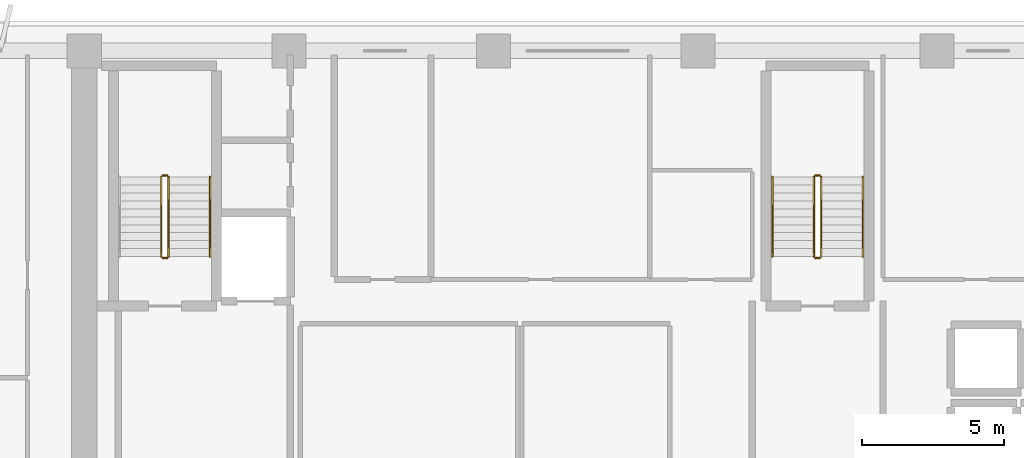
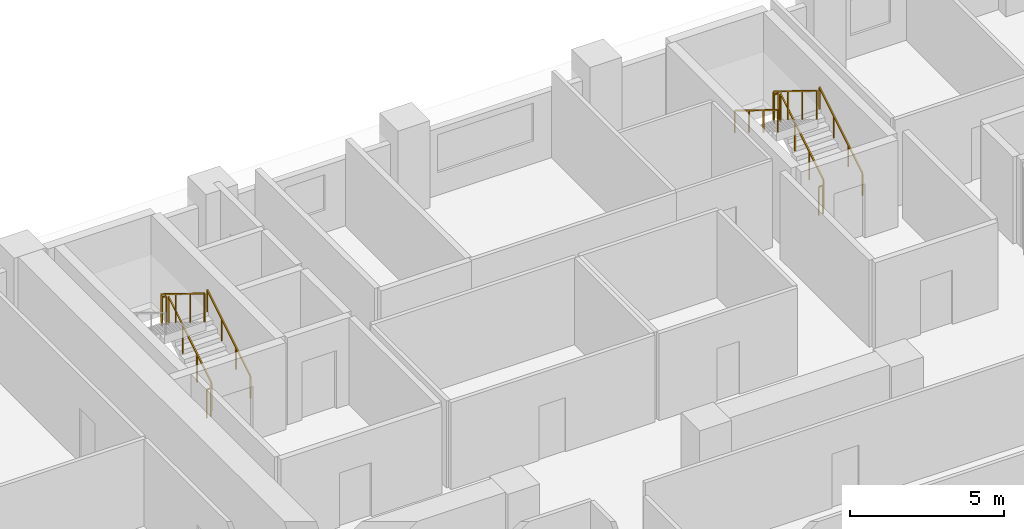
# One storey, part 13 of 15: 11 railings.
"""IFC4 building model written with IfcOpenShell, lengths in metres."""

from ifc_helpers import new_model, si_unit, direction, frame, origin, origin_2d, place, context, subcontext, project, spatial, rectangle, extrude, material, type_object, element, save


model = new_model("IFC4")

# Units and contexts
model_context = context("Model", 3, precision=1e-05, world=origin(), true_north=direction((0.0, 1.0)))
body_context = subcontext(model_context, "Body", "Model", "MODEL_VIEW")
ifc_project = project(units=[si_unit("LENGTHUNIT", "METRE"), si_unit("AREAUNIT", "SQUARE_METRE"), si_unit("VOLUMEUNIT", "CUBIC_METRE"), si_unit("PLANEANGLEUNIT", "RADIAN"), si_unit("MASSUNIT", "GRAM", prefix="KILO")], contexts=[model_context])

# Site, building, storey
site_placement = place(None, origin())
site = spatial("IfcSite", under=ifc_project, at=site_placement, CompositionType="ELEMENT")
building_placement = place(site_placement, origin())
building = spatial("IfcBuilding", under=site, at=building_placement, Name="Kaelvorn Grand Hotel", CompositionType="ELEMENT")
storey_placement = place(building_placement, frame((0.0, 0.0, 180.949951171875)))
storey = spatial("IfcBuildingStorey", under=building, at=storey_placement, Name="L44", CompositionType="ELEMENT", Elevation=180.949951171875)

# Railings
ifc_material = material(Name="Stainless Steel", Category="steel")
railing_type_1 = type_object("IfcRailingType", Name="RL-HANDRAIL-900", PredefinedType="HANDRAIL", material=ifc_material)
for number, where, name in (
    (1, (20.6298828125, 41.760009765625, 0.1728515625), "L44 ST1 stair handrail 1"),
    (2, (43.590087890625, 41.760009765625, 0.1728515625), "L44 ST2 stair handrail 1"),
):
    element("IfcRailing", number, at=place(storey_placement, frame(where)), inside=storey, type_object=railing_type_1, Name=name, PredefinedType="HANDRAIL", context=body_context, shape_type="SweptSolid", body=[
        extrude(rectangle(XDim=0.048095703125, YDim=0.048095703125, at=origin_2d()), frame((0.0, 0.0, 0.8759765625), z_axis=(0.0, 0.851089632645, 0.525020415988), x_axis=(-1.0, 0.0, 0.0)), (0.0, 0.0, 1.0), 3.2900390625),
        extrude(rectangle(XDim=0.0419921875, YDim=0.0419921875, at=origin_2d()), origin(), (0.0, 0.0, 1.0), 0.851806640625),
        extrude(rectangle(XDim=0.0419921875, YDim=0.0419921875, at=origin_2d()), frame((0.0, 0.933349609375, 0.57568359375)), (0.0, 0.0, 1.0), 0.851806640625),
        extrude(rectangle(XDim=0.0419921875, YDim=0.0419921875, at=origin_2d()), frame((0.0, 1.86669921875, 1.151611328125)), (0.0, 0.0, 1.0), 0.851806640625),
        extrude(rectangle(XDim=0.0419921875, YDim=0.0419921875, at=origin_2d()), frame((0.0, 2.800048828125, 1.727294921875)), (0.0, 0.0, 1.0), 0.851806640625),
    ])
railing_1_placement = place(storey_placement, frame((40.409912109375, 44.56005859375, 2.07275390625)))
element("IfcRailing", 3, at=railing_1_placement, inside=storey, type_object=railing_type_1, Name="L44 ST2 stair handrail 2", PredefinedType="HANDRAIL", context=body_context, shape_type="SweptSolid", body=[
    extrude(rectangle(XDim=0.048095703125, YDim=0.048095703125, at=origin_2d()), frame((0.0, 0.0, 0.8759765625), z_axis=(0.0, -0.851089632645, 0.525020415988), x_axis=(1.0, 0.0, 0.0)), (0.0, 0.0, 1.0), 3.2900390625),
    extrude(rectangle(XDim=0.0419921875, YDim=0.0419921875, at=origin_2d()), origin(), (0.0, 0.0, 1.0), 0.851806640625),
    extrude(rectangle(XDim=0.0419921875, YDim=0.0419921875, at=origin_2d()), frame((0.0, -0.933349609375, 0.57568359375)), (0.0, 0.0, 1.0), 0.851806640625),
    extrude(rectangle(XDim=0.0419921875, YDim=0.0419921875, at=origin_2d()), frame((0.0, -1.86669921875, 1.151611328125)), (0.0, 0.0, 1.0), 0.851806640625),
    extrude(rectangle(XDim=0.0419921875, YDim=0.0419921875, at=origin_2d()), frame((0.0, -2.800048828125, 1.727294921875)), (0.0, 0.0, 1.0), 0.851806640625),
])
railing_type_2 = type_object("IfcRailingType", Name="RL-STAIR-GUARD-1150", PredefinedType="BALUSTRADE", material=ifc_material)
railing_2_placement = place(storey_placement, frame((19.169921875, 41.760009765625, 0.1728515625)))
element("IfcRailing", 4, at=railing_2_placement, inside=storey, type_object=railing_type_2, Name="L44 ST1 stair guard 1", PredefinedType="BALUSTRADE", context=body_context, shape_type="SweptSolid", body=[
    extrude(rectangle(XDim=0.048095703125, YDim=0.048095703125, at=origin_2d()), frame((0.0, 0.0, 1.1259765625), z_axis=(0.0, 0.851089632645, 0.525020415988), x_axis=(-1.0, 0.0, 0.0)), (0.0, 0.0, 1.0), 3.2900390625),
    extrude(rectangle(XDim=0.0419921875, YDim=0.0419921875, at=origin_2d()), origin(), (0.0, 0.0, 1.0), 1.101806640625),
    extrude(rectangle(XDim=0.0419921875, YDim=0.0419921875, at=origin_2d()), frame((0.0, 0.933349609375, 0.57568359375)), (0.0, 0.0, 1.0), 1.101806640625),
    extrude(rectangle(XDim=0.0419921875, YDim=0.0419921875, at=origin_2d()), frame((0.0, 1.86669921875, 1.151611328125)), (0.0, 0.0, 1.0), 1.101806640625),
    extrude(rectangle(XDim=0.0419921875, YDim=0.0419921875, at=origin_2d()), frame((0.0, 2.800048828125, 1.727294921875)), (0.0, 0.0, 1.0), 1.101806640625),
])
railing_3_placement = place(storey_placement, frame((19.1201171875, 44.610107421875, 1.900146484375)))
element("IfcRailing", 5, at=railing_3_placement, inside=storey, type_object=railing_type_2, Name="L44 ST1 stair guard 2", PredefinedType="BALUSTRADE", context=body_context, shape_type="SweptSolid", body=[
    extrude(rectangle(XDim=0.048095703125, YDim=0.048095703125, at=origin_2d()), frame((0.0, 0.0, 1.1259765625), z_axis=(-1.0, 0.0, 0.0), x_axis=(0.0, -1.0, 0.0)), (0.0, 0.0, 1.0), 0.16015625),
    extrude(rectangle(XDim=0.0419921875, YDim=0.0419921875, at=origin_2d()), origin(), (0.0, 0.0, 1.0), 1.101806640625),
    extrude(rectangle(XDim=0.0419921875, YDim=0.0419921875, at=origin_2d()), frame((-0.16015625, 0.0, 0.0)), (0.0, 0.0, 1.0), 1.101806640625),
])
railing_4_placement = place(storey_placement, frame((18.909912109375, 44.56005859375, 2.07275390625)))
element("IfcRailing", 6, at=railing_4_placement, inside=storey, type_object=railing_type_2, Name="L44 ST1 stair guard 3", PredefinedType="BALUSTRADE", context=body_context, shape_type="SweptSolid", body=[
    extrude(rectangle(XDim=0.048095703125, YDim=0.048095703125, at=origin_2d()), frame((0.0, 0.0, 1.1259765625), z_axis=(0.0, -0.851089632645, 0.525020415988), x_axis=(1.0, 0.0, 0.0)), (0.0, 0.0, 1.0), 3.2900390625),
    extrude(rectangle(XDim=0.0419921875, YDim=0.0419921875, at=origin_2d()), origin(), (0.0, 0.0, 1.0), 1.101806640625),
    extrude(rectangle(XDim=0.0419921875, YDim=0.0419921875, at=origin_2d()), frame((0.0, -0.933349609375, 0.57568359375)), (0.0, 0.0, 1.0), 1.101806640625),
    extrude(rectangle(XDim=0.0419921875, YDim=0.0419921875, at=origin_2d()), frame((0.0, -1.86669921875, 1.151611328125)), (0.0, 0.0, 1.0), 1.101806640625),
    extrude(rectangle(XDim=0.0419921875, YDim=0.0419921875, at=origin_2d()), frame((0.0, -2.800048828125, 1.727294921875)), (0.0, 0.0, 1.0), 1.101806640625),
])
railing_5_placement = place(storey_placement, frame((19.1201171875, 41.7099609375, 0.0)))
element("IfcRailing", 7, at=railing_5_placement, inside=storey, type_object=railing_type_2, Name="L44 ST1 stair guard 4", PredefinedType="BALUSTRADE", context=body_context, shape_type="SweptSolid", body=[
    extrude(rectangle(XDim=0.048095703125, YDim=0.048095703125, at=origin_2d()), frame((0.0, 0.0, 1.1259765625), z_axis=(-1.0, 0.0, 0.0), x_axis=(0.0, -1.0, 0.0)), (0.0, 0.0, 1.0), 0.16015625),
    extrude(rectangle(XDim=0.0419921875, YDim=0.0419921875, at=origin_2d()), origin(), (0.0, 0.0, 1.0), 1.101806640625),
    extrude(rectangle(XDim=0.0419921875, YDim=0.0419921875, at=origin_2d()), frame((-0.16015625, 0.0, 0.0)), (0.0, 0.0, 1.0), 1.101806640625),
])
railing_6_placement = place(storey_placement, frame((42.1298828125, 41.760009765625, 0.1728515625)))
element("IfcRailing", 8, at=railing_6_placement, inside=storey, type_object=railing_type_2, Name="L44 ST2 stair guard 1", PredefinedType="BALUSTRADE", context=body_context, shape_type="SweptSolid", body=[
    extrude(rectangle(XDim=0.048095703125, YDim=0.048095703125, at=origin_2d()), frame((0.0, 0.0, 1.1259765625), z_axis=(0.0, 0.851089632645, 0.525020415988), x_axis=(-1.0, 0.0, 0.0)), (0.0, 0.0, 1.0), 3.2900390625),
    extrude(rectangle(XDim=0.0419921875, YDim=0.0419921875, at=origin_2d()), origin(), (0.0, 0.0, 1.0), 1.101806640625),
    extrude(rectangle(XDim=0.0419921875, YDim=0.0419921875, at=origin_2d()), frame((0.0, 0.933349609375, 0.57568359375)), (0.0, 0.0, 1.0), 1.101806640625),
    extrude(rectangle(XDim=0.0419921875, YDim=0.0419921875, at=origin_2d()), frame((0.0, 1.86669921875, 1.151611328125)), (0.0, 0.0, 1.0), 1.101806640625),
    extrude(rectangle(XDim=0.0419921875, YDim=0.0419921875, at=origin_2d()), frame((0.0, 2.800048828125, 1.727294921875)), (0.0, 0.0, 1.0), 1.101806640625),
])
railing_7_placement = place(storey_placement, frame((42.080078125, 44.610107421875, 1.900146484375)))
element("IfcRailing", 9, at=railing_7_placement, inside=storey, type_object=railing_type_2, Name="L44 ST2 stair guard 2", PredefinedType="BALUSTRADE", context=body_context, shape_type="SweptSolid", body=[
    extrude(rectangle(XDim=0.048095703125, YDim=0.048095703125, at=origin_2d()), frame((0.0, 0.0, 1.1259765625), z_axis=(-1.0, 0.0, 0.0), x_axis=(0.0, -1.0, 0.0)), (0.0, 0.0, 1.0), 0.16015625),
    extrude(rectangle(XDim=0.0419921875, YDim=0.0419921875, at=origin_2d()), origin(), (0.0, 0.0, 1.0), 1.101806640625),
    extrude(rectangle(XDim=0.0419921875, YDim=0.0419921875, at=origin_2d()), frame((-0.16015625, 0.0, 0.0)), (0.0, 0.0, 1.0), 1.101806640625),
])
railing_8_placement = place(storey_placement, frame((41.8701171875, 44.56005859375, 2.07275390625)))
element("IfcRailing", 10, at=railing_8_placement, inside=storey, type_object=railing_type_2, Name="L44 ST2 stair guard 3", PredefinedType="BALUSTRADE", context=body_context, shape_type="SweptSolid", body=[
    extrude(rectangle(XDim=0.048095703125, YDim=0.048095703125, at=origin_2d()), frame((0.0, 0.0, 1.1259765625), z_axis=(0.0, -0.851089632645, 0.525020415988), x_axis=(1.0, 0.0, 0.0)), (0.0, 0.0, 1.0), 3.2900390625),
    extrude(rectangle(XDim=0.0419921875, YDim=0.0419921875, at=origin_2d()), origin(), (0.0, 0.0, 1.0), 1.101806640625),
    extrude(rectangle(XDim=0.0419921875, YDim=0.0419921875, at=origin_2d()), frame((0.0, -0.933349609375, 0.57568359375)), (0.0, 0.0, 1.0), 1.101806640625),
    extrude(rectangle(XDim=0.0419921875, YDim=0.0419921875, at=origin_2d()), frame((0.0, -1.86669921875, 1.151611328125)), (0.0, 0.0, 1.0), 1.101806640625),
    extrude(rectangle(XDim=0.0419921875, YDim=0.0419921875, at=origin_2d()), frame((0.0, -2.800048828125, 1.727294921875)), (0.0, 0.0, 1.0), 1.101806640625),
])
railing_9_placement = place(storey_placement, frame((42.080078125, 41.7099609375, 0.0)))
element("IfcRailing", 11, at=railing_9_placement, inside=storey, type_object=railing_type_2, Name="L44 ST2 stair guard 4", PredefinedType="BALUSTRADE", context=body_context, shape_type="SweptSolid", body=[
    extrude(rectangle(XDim=0.048095703125, YDim=0.048095703125, at=origin_2d()), frame((0.0, 0.0, 1.1259765625), z_axis=(-1.0, 0.0, 0.0), x_axis=(0.0, -1.0, 0.0)), (0.0, 0.0, 1.0), 0.16015625),
    extrude(rectangle(XDim=0.0419921875, YDim=0.0419921875, at=origin_2d()), origin(), (0.0, 0.0, 1.0), 1.101806640625),
    extrude(rectangle(XDim=0.0419921875, YDim=0.0419921875, at=origin_2d()), frame((-0.16015625, 0.0, 0.0)), (0.0, 0.0, 1.0), 1.101806640625),
])

save(model, "model.ifc")
